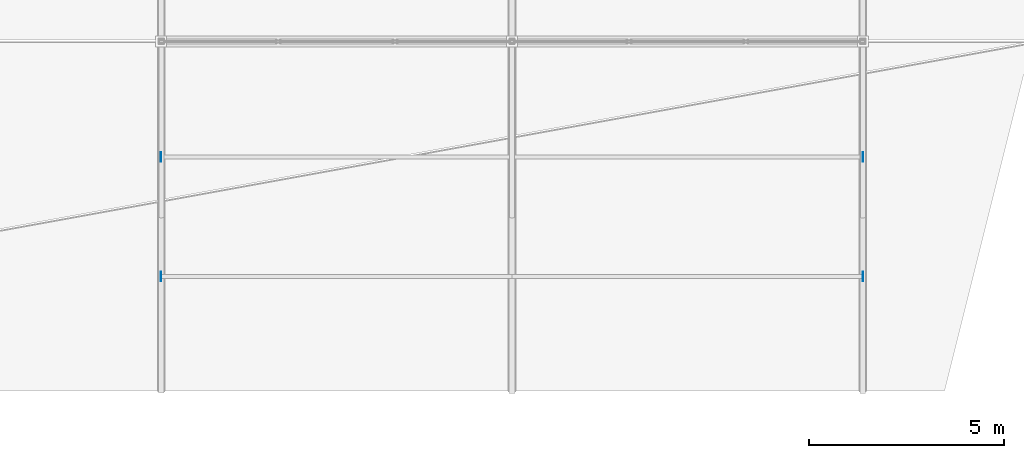
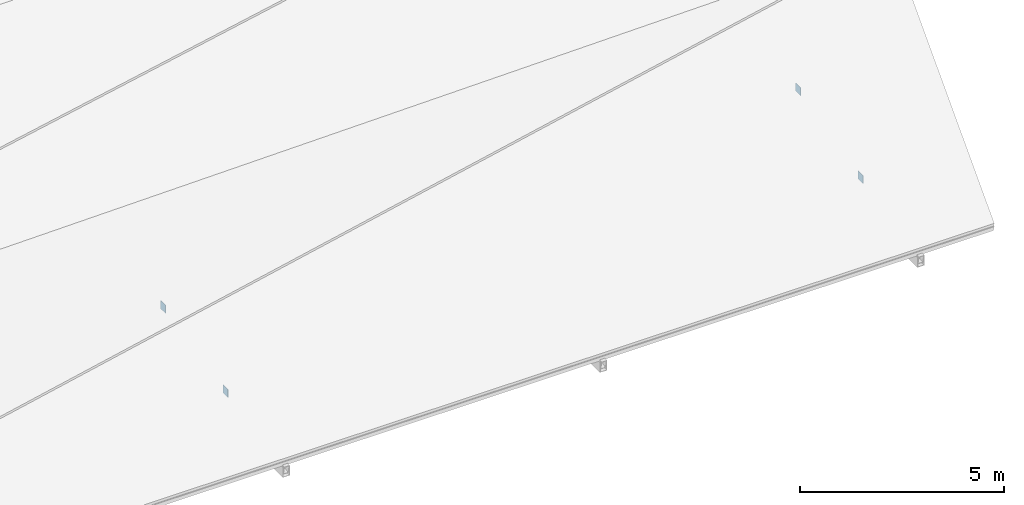
# One storey, part 76 of 103: 4 plates.
"""IFC4 building model written with IfcOpenShell, lengths in metres."""

from ifc_helpers import new_model, si_unit, direction, frame, origin, origin_2d, place, context, subcontext, project, spatial, rectangle, extrude, material, layer, layer_set, type_object, element, save


model = new_model("IFC4")

# Units and contexts
model_context = context("Model", 3, precision=1e-05, world=origin(), true_north=direction((0.0, 1.0)))
body_context = subcontext(model_context, "Body", "Model", "MODEL_VIEW")
ifc_project = project(units=[si_unit("LENGTHUNIT", "METRE"), si_unit("AREAUNIT", "SQUARE_METRE"), si_unit("VOLUMEUNIT", "CUBIC_METRE"), si_unit("PLANEANGLEUNIT", "RADIAN"), si_unit("MASSUNIT", "GRAM", prefix="KILO")], contexts=[model_context])

# Site, building, storey
site_placement = place(None, origin())
site = spatial("IfcSite", under=ifc_project, at=site_placement, CompositionType="ELEMENT")
building_placement = place(site_placement, origin())
building = spatial("IfcBuilding", under=site, at=building_placement, Name="Deido Ridge Mobility Hub", CompositionType="ELEMENT")
storey_placement = place(building_placement, frame((0.0, 0.0, 12.60009765625)))
storey = spatial("IfcBuildingStorey", under=building, at=storey_placement, Name="L03", CompositionType="ELEMENT", Elevation=12.60009765625)

# Plates
ifc_material = material(Name="Steel S355J2 EN 10025-2", Category="steel")
ifc_layer = layer(ifc_material, 0.01611328125, Name="Steel S355J2 EN 10025-2")
ifc_layer_set = layer_set([ifc_layer], Name="Steel S355J2 EN 10025-2")
plate_type = type_object("IfcPlateType", Name="PLT-CAP-16", PredefinedType="USERDEFINED", material=ifc_layer_set)
for number, where, z_axis, x_axis, name in (
    (1, (26.991943359375, 56.969970703125, 0.49658203125), (0.0, 0.0, 1.0), (1.0, 0.0, 0.0), "Hollow member sealed end-cap plate EC1-201"),
    (2, (45.008056640625, 56.969970703125, 0.6025390625), (0.0, 0.0, 1.0), (1.0, 0.0, 0.0), "Hollow member sealed end-cap plate EC1-202"),
    (3, (26.991943359375, 60.030029296875, 1.1630859375), (0.0, 0.0, 1.0), (1.0, 0.0, 0.0), "Hollow member sealed end-cap plate EC1-205"),
    (4, (45.008056640625, 60.030029296875, 1.37744140625), (0.0, 0.0, 1.0), (1.0, 0.0, 0.0), "Hollow member sealed end-cap plate EC1-206"),
):
    element("IfcPlate", number, at=place(storey_placement, frame(where, z_axis=z_axis, x_axis=x_axis)), inside=storey, type_object=plate_type, Name=name, ObjectType="END CAP PLATE", PredefinedType="USERDEFINED", context=body_context, shape_type="SweptSolid", body=[
        extrude(rectangle(XDim=0.01611328125, YDim=0.239990234375, at=origin_2d()), origin(), (0.0, 0.0, 1.0), 0.239990234375),
    ])

save(model, "model.ifc")
